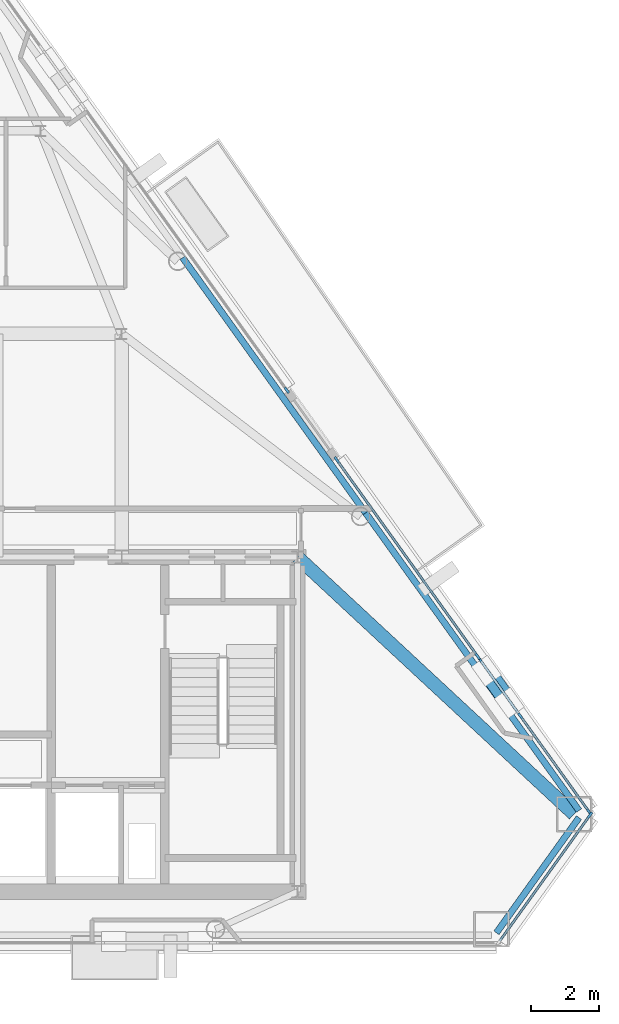
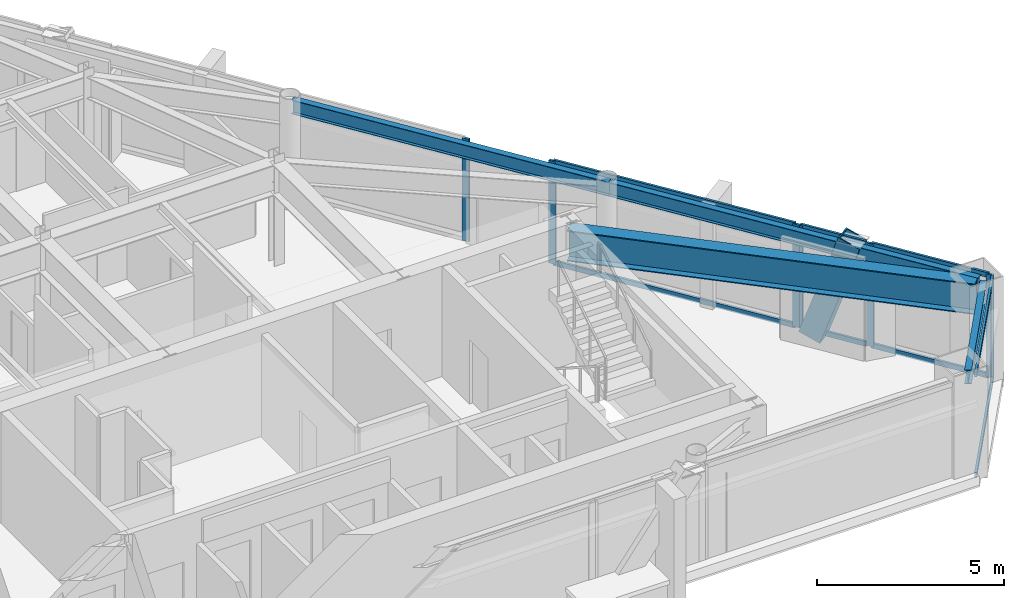
# One storey, part 5 of 11: 16 members, 4 beams, 5 elements without a shape of their own.
"""IFC4 building model written with IfcOpenShell, lengths in metres."""

from ifc_helpers import new_model, si_unit, direction, frame, origin, origin_2d, place, context, subcontext, project, spatial, rectangle, hollow_rectangle, i_section, extrude, material, layer, layer_set, material_profile, profile_set, type_object, element, aggregate, save


model = new_model("IFC4")

# Units and contexts
model_context = context("Model", 3, precision=1e-05, world=origin(), true_north=direction((0.0, 1.0)))
body_context = subcontext(model_context, "Body", "Model", "MODEL_VIEW")
ifc_project = project(units=[si_unit("LENGTHUNIT", "METRE"), si_unit("AREAUNIT", "SQUARE_METRE"), si_unit("VOLUMEUNIT", "CUBIC_METRE"), si_unit("PLANEANGLEUNIT", "RADIAN"), si_unit("MASSUNIT", "GRAM", prefix="KILO")], contexts=[model_context])

# Site, building, storey
site_placement = place(None, origin())
site = spatial("IfcSite", under=ifc_project, at=site_placement, CompositionType="ELEMENT")
building_placement = place(site_placement, origin())
building = spatial("IfcBuilding", under=site, at=building_placement, Name="Talgorran Terracotta Tower", CompositionType="ELEMENT")
storey_placement = place(building_placement, frame((0.0, 0.0, 233.39990234375)))
storey = spatial("IfcBuildingStorey", under=building, at=storey_placement, Name="L61", CompositionType="ELEMENT", Elevation=233.39990234375)

# Beams
ifc_material_1 = material(Name="Steel Grade 350 (350L0)", Category="steel")
ifc_material_profile_1 = material_profile(ifc_material_1, i_section(OverallWidth=0.39990234375, OverallDepth=1.0, WebThickness=0.01611328125, FlangeThickness=0.031005859375, at=origin_2d()), Name="1000WB296")
ifc_profile_set_1 = profile_set([ifc_material_profile_1], Name="Steel Grade 350 (350L0)")
beam_type_1 = type_object("IfcBeamType", Name="BM_1000WB296", PredefinedType="BEAM", material=ifc_profile_set_1)
beam_1_placement = place(storey_placement, frame((12.39990234375, -4.199951171875, 2.84521484375), z_axis=(0.732477257619, -0.68079150044, 0.0), x_axis=(0.68079150044, 0.732477257619, 0.0)))
element("IfcBeam", 1, at=beam_1_placement, inside=storey, type_object=beam_type_1, Name="L61 Floor Girder G18", PredefinedType="BEAM", context=body_context, shape_type="SweptSolid", body=[
    extrude(i_section(OverallWidth=0.39990234375, OverallDepth=1.0, WebThickness=0.01611328125, FlangeThickness=0.031005859375, at=origin_2d()), origin(), (0.0, 0.0, 1.0), 11.16650390625),
])
ifc_material_2 = material(Name="Steel S355 (300PLUS)", Category="steel")
ifc_material_profile_2 = material_profile(ifc_material_2, i_section(OverallWidth=0.18994140625, OverallDepth=0.45703125, WebThickness=0.009033203125, FlangeThickness=0.014404296875, at=origin_2d()), Name="460UB74.6")
ifc_profile_set_2 = profile_set([ifc_material_profile_2], Name="Steel S355 (300PLUS)")
beam_type_2 = type_object("IfcBeamType", Name="BM_SP_460UB74", PredefinedType="SPANDREL", material=ifc_profile_set_2)
beam_2_placement = place(storey_placement, frame((18.283447265625, -15.312744140625, 3.11669921875), z_axis=(0.582692129248, 0.812692981705, 0.0), x_axis=(-0.812692981705, 0.582692129248, 0.0)))
element("IfcBeam", 2, at=beam_2_placement, inside=storey, type_object=beam_type_2, Name="L61 Perimeter Spandrel Beam MC3-MC4", PredefinedType="SPANDREL", context=body_context, shape_type="SweptSolid", body=[
    extrude(i_section(OverallWidth=0.18994140625, OverallDepth=0.45703125, WebThickness=0.009033203125, FlangeThickness=0.014404296875, at=origin_2d()), origin(), (0.0, 0.0, 1.0), 4.190673828125),
])
beam_3_placement = place(storey_placement, frame((20.725341796875, -11.697021484375, 3.11669921875), z_axis=(-0.5826658635, 0.812711813321, 0.0), x_axis=(-0.812711813321, -0.5826658635, 0.0)))
element("IfcBeam", 3, at=beam_3_placement, inside=storey, type_object=beam_type_2, Name="L61 Perimeter Spandrel Beam MC4-FC3", PredefinedType="SPANDREL", context=body_context, shape_type="SweptSolid", body=[
    extrude(i_section(OverallWidth=0.18994140625, OverallDepth=0.45703125, WebThickness=0.009033203125, FlangeThickness=0.014404296875, at=origin_2d()), origin(), (0.0, 0.0, 1.0), 10.831298828125),
])
beam_4_placement = place(storey_placement, frame((14.414306640625, -2.894287109375, 3.11669921875), z_axis=(-0.582665161137, 0.812712316873, 0.0), x_axis=(-0.812712316873, -0.582665161137, 0.0)))
element("IfcBeam", 4, at=beam_4_placement, inside=storey, type_object=beam_type_2, Name="L61 Perimeter Spandrel Beam FC3-FC4", PredefinedType="SPANDREL", context=body_context, shape_type="SweptSolid", body=[
    extrude(i_section(OverallWidth=0.18994140625, OverallDepth=0.45703125, WebThickness=0.009033203125, FlangeThickness=0.014404296875, at=origin_2d()), origin(), (0.0, 0.0, 1.0), 9.283935546875),
])

# Member
ifc_material_profile_3 = material_profile(ifc_material_1, hollow_rectangle(XDim=0.52001953125, YDim=0.659912109375, WallThickness=0.034912109375, at=origin_2d()), Name="WBOX660X520X35")
ifc_profile_set_3 = profile_set([ifc_material_profile_3], Name="Steel Grade 350 (350L0)")
member_type_1 = type_object("IfcMemberType", Name="MB_MEGA_660", PredefinedType="BRACE", material=ifc_profile_set_3)
member_1_placement = place(storey_placement, frame((17.98583984375, -7.567138671875, -0.02490234375), z_axis=(0.18860775187, -0.263043855963, 0.946168613818), x_axis=(0.812681078827, 0.582708730085, 0.0)))
element("IfcMember", 5, at=member_1_placement, inside=storey, type_object=member_type_1, Name="L61 Exterior Face Mega-Brace MB-3 (NEL)", PredefinedType="BRACE", context=body_context, shape_type="SweptSolid", body=[
    extrude(hollow_rectangle(XDim=0.52001953125, YDim=0.659912109375, WallThickness=0.034912109375, at=origin_2d()), origin(), (0.0, 0.0, 1.0), 3.588134765625),
])

# Curtain wall, member
ifc_material_3 = material(Name="High-Wind Unitised Glazing", Category="glass")
ifc_layer = layer(ifc_material_3, 0.2099609375, Name="CW_SYS3_RES_HIGH")
ifc_layer_set = layer_set([ifc_layer], Name="High-Wind Unitised Glazing")
curtain_wall_type = type_object("IfcCurtainWallType", Name="CW_SYS3_RES_HIGH", PredefinedType="NOTDEFINED", material=ifc_layer_set)
curtain_wall_1_placement = place(storey_placement, origin())
curtain_wall_1 = element("IfcCurtainWall", 6, at=curtain_wall_1_placement, inside=storey, type_object=curtain_wall_type, Name="CW-L61-F2", PredefinedType="NOTDEFINED")
ifc_material_4 = material(Name="Architectural Aluminium 6063-T6", Category="aluminium")
ifc_material_profile_4 = material_profile(ifc_material_4, rectangle(XDim=0.070068359375, YDim=0.199951171875, at=origin_2d()), Name="CWM70X200")
ifc_profile_set_4 = profile_set([ifc_material_profile_4], Name="Architectural Aluminium 6063-T6")
member_type_2 = type_object("IfcMemberType", Name="MUL_70X200", PredefinedType="MULLION", material=ifc_profile_set_4)
member_2_placement = place(storey_placement, frame((21.05078125, -11.83056640625, 0.0), z_axis=(0.0, 0.0, 1.0), x_axis=(-0.812714993724, 0.582661427396, 0.0)))
member_2 = element("IfcMember", 7, at=member_2_placement, type_object=member_type_2, Name="CW-L61-2 mullion 2", PredefinedType="MULLION", context=body_context, shape_type="SweptSolid", body=[
    extrude(rectangle(XDim=0.070068359375, YDim=0.199951171875, at=origin_2d()), origin(), (0.0, 0.0, 1.0), 3.34521484375),
])

# Curtain wall, members
curtain_wall_2_placement = place(storey_placement, origin())
curtain_wall_2 = element("IfcCurtainWall", 8, at=curtain_wall_2_placement, inside=storey, type_object=curtain_wall_type, Name="CW-L61-F40", PredefinedType="NOTDEFINED")
member_3_placement = place(storey_placement, frame((21.02734375, -11.740966796875, 0.0), z_axis=(0.0, 0.0, 1.0), x_axis=(-0.812719875609, -0.582654617926, 0.0)))
member_3 = element("IfcMember", 9, at=member_3_placement, type_object=member_type_2, Name="CW-L61-40 mullion 1", PredefinedType="MULLION", context=body_context, shape_type="SweptSolid", body=[
    extrude(rectangle(XDim=0.070068359375, YDim=0.199951171875, at=origin_2d()), origin(), (0.0, 0.0, 1.0), 3.34521484375),
])
member_4_placement = place(storey_placement, frame((18.98779296875, -8.89599609375, 0.0), z_axis=(0.0, 0.0, 1.0), x_axis=(-0.812719875609, -0.582654617926, 0.0)))
member_4 = element("IfcMember", 10, at=member_4_placement, type_object=member_type_2, Name="CW-L61-40 mullion 2", PredefinedType="MULLION", context=body_context, shape_type="SweptSolid", body=[
    extrude(rectangle(XDim=0.070068359375, YDim=0.199951171875, at=origin_2d()), origin(), (0.0, 0.0, 1.0), 3.34521484375),
])

# Curtain wall, member
curtain_wall_3_placement = place(storey_placement, origin())
curtain_wall_3 = element("IfcCurtainWall", 11, at=curtain_wall_3_placement, inside=storey, type_object=curtain_wall_type, Name="CW-L61-F40B", PredefinedType="NOTDEFINED")
member_5_placement = place(storey_placement, frame((17.772216796875, -7.20068359375, 0.0), z_axis=(0.0, 0.0, 1.0), x_axis=(-0.81272322029, -0.582649952546, 0.0)))
member_5 = element("IfcMember", 12, at=member_5_placement, type_object=member_type_2, Name="CW-L61-40B mullion 2", PredefinedType="MULLION", context=body_context, shape_type="SweptSolid", body=[
    extrude(rectangle(XDim=0.070068359375, YDim=0.199951171875, at=origin_2d()), origin(), (0.0, 0.0, 1.0), 3.34521484375),
])

# Curtain wall, members
curtain_wall_4_placement = place(storey_placement, origin())
curtain_wall_4 = element("IfcCurtainWall", 13, at=curtain_wall_4_placement, inside=storey, type_object=curtain_wall_type, Name="CW-L61-F40C", PredefinedType="NOTDEFINED")
member_6_placement = place(storey_placement, frame((17.7255859375, -7.1357421875, 0.0), z_axis=(0.0, 0.0, 1.0), x_axis=(-0.812712435258, -0.582664996011, 0.0)))
member_6 = element("IfcMember", 14, at=member_6_placement, type_object=member_type_2, Name="CW-L61-40C mullion 1", PredefinedType="MULLION", context=body_context, shape_type="SweptSolid", body=[
    extrude(rectangle(XDim=0.070068359375, YDim=0.199951171875, at=origin_2d()), origin(), (0.0, 0.0, 1.0), 3.34521484375),
])
member_7_placement = place(storey_placement, frame((13.55859375, -1.3232421875, 0.0), z_axis=(0.0, 0.0, 1.0), x_axis=(-0.812712435258, -0.582664996011, 0.0)))
member_7 = element("IfcMember", 15, at=member_7_placement, type_object=member_type_2, Name="CW-L61-40C mullion 2", PredefinedType="MULLION", context=body_context, shape_type="SweptSolid", body=[
    extrude(rectangle(XDim=0.070068359375, YDim=0.199951171875, at=origin_2d()), origin(), (0.0, 0.0, 1.0), 3.34521484375),
])

# Curtain wall, member
curtain_wall_5_placement = place(storey_placement, origin())
curtain_wall_5 = element("IfcCurtainWall", 16, at=curtain_wall_5_placement, inside=storey, type_object=curtain_wall_type, Name="CW-L61-F41", PredefinedType="NOTDEFINED")
member_8_placement = place(storey_placement, frame((12.08447265625, 0.73291015625, 0.0), z_axis=(0.0, 0.0, 1.0), x_axis=(-0.812712676558, -0.582664659441, 0.0)))
member_8 = element("IfcMember", 17, at=member_8_placement, type_object=member_type_2, Name="CW-L61-41 mullion 1", PredefinedType="MULLION", context=body_context, shape_type="SweptSolid", body=[
    extrude(rectangle(XDim=0.070068359375, YDim=0.199951171875, at=origin_2d()), origin(), (0.0, 0.0, 1.0), 3.34521484375),
])
aggregate(curtain_wall_5, [member_8])

# Member
ifc_material_profile_5 = material_profile(ifc_material_4, rectangle(XDim=0.070068359375, YDim=0.159912109375, at=origin_2d()), Name="CWT70X160")
ifc_profile_set_5 = profile_set([ifc_material_profile_5], Name="Architectural Aluminium 6063-T6")
member_type_3 = type_object("IfcMemberType", Name="TRN_70X160", PredefinedType="USERDEFINED", material=ifc_profile_set_5)
member_9_placement = place(storey_placement, frame((18.38330078125, -15.551025390625, 0.03515625), z_axis=(0.582655627037, 0.812719152157, 0.0), x_axis=(-0.812719152157, 0.582655627037, 0.0)))
member_9 = element("IfcMember", 18, at=member_9_placement, type_object=member_type_3, Name="CW-L61-2 transom 1.1", ObjectType="TRANSOM", PredefinedType="USERDEFINED", context=body_context, shape_type="SweptSolid", body=[
    extrude(rectangle(XDim=0.070068359375, YDim=0.159912109375, at=origin_2d()), origin(), (0.0, 0.0, 1.0), 4.54296875),
])

member_10_placement = place(storey_placement, frame((18.38330078125, -15.551025390625, 3.31005859375), z_axis=(0.582655627037, 0.812719152157, 0.0), x_axis=(-0.812719152157, 0.582655627037, 0.0)))
member_10 = element("IfcMember", 19, at=member_10_placement, type_object=member_type_3, Name="CW-L61-2 transom 1.2", ObjectType="TRANSOM", PredefinedType="USERDEFINED", context=body_context, shape_type="SweptSolid", body=[
    extrude(rectangle(XDim=0.070068359375, YDim=0.159912109375, at=origin_2d()), origin(), (0.0, 0.0, 1.0), 4.54296875),
])

aggregate(curtain_wall_1, [member_2, member_9, member_10])

member_11_placement = place(storey_placement, frame((21.007080078125, -11.712646484375, 0.03515625), z_axis=(-0.58265762236, 0.812717721663, 0.0), x_axis=(-0.812717721663, -0.58265762236, 0.0)))
member_11 = element("IfcMember", 20, at=member_11_placement, type_object=member_type_3, Name="CW-L61-40 transom 1.1", ObjectType="TRANSOM", PredefinedType="USERDEFINED", context=body_context, shape_type="SweptSolid", body=[
    extrude(rectangle(XDim=0.070068359375, YDim=0.159912109375, at=origin_2d()), origin(), (0.0, 0.0, 1.0), 3.430908203125),
])

member_12_placement = place(storey_placement, frame((21.007080078125, -11.712646484375, 3.31005859375), z_axis=(-0.58265762236, 0.812717721663, 0.0), x_axis=(-0.812717721663, -0.58265762236, 0.0)))
member_12 = element("IfcMember", 21, at=member_12_placement, type_object=member_type_3, Name="CW-L61-40 transom 1.2", ObjectType="TRANSOM", PredefinedType="USERDEFINED", context=body_context, shape_type="SweptSolid", body=[
    extrude(rectangle(XDim=0.070068359375, YDim=0.159912109375, at=origin_2d()), origin(), (0.0, 0.0, 1.0), 3.430908203125),
])

aggregate(curtain_wall_2, [member_3, member_4, member_11, member_12])

member_13_placement = place(storey_placement, frame((18.920654296875, -8.802490234375, 0.03515625), z_axis=(-0.582668913142, 0.812709626901, 0.0), x_axis=(-0.812709626901, -0.582668913142, 0.0)))
member_13 = element("IfcMember", 22, at=member_13_placement, type_object=member_type_3, Name="CW-L61-40B transom 1.1", ObjectType="TRANSOM", PredefinedType="USERDEFINED", context=body_context, shape_type="SweptSolid", body=[
    extrude(rectangle(XDim=0.070068359375, YDim=0.159912109375, at=origin_2d()), origin(), (0.0, 0.0, 1.0), 1.935791015625),
])

member_14_placement = place(storey_placement, frame((18.920654296875, -8.802490234375, 3.31005859375), z_axis=(-0.582668913142, 0.812709626901, 0.0), x_axis=(-0.812709626901, -0.582668913142, 0.0)))
member_14 = element("IfcMember", 23, at=member_14_placement, type_object=member_type_3, Name="CW-L61-40B transom 1.2", ObjectType="TRANSOM", PredefinedType="USERDEFINED", context=body_context, shape_type="SweptSolid", body=[
    extrude(rectangle(XDim=0.070068359375, YDim=0.159912109375, at=origin_2d()), origin(), (0.0, 0.0, 1.0), 1.935791015625),
])

aggregate(curtain_wall_3, [member_5, member_13, member_14])

member_15_placement = place(storey_placement, frame((17.705322265625, -7.107421875, 0.03515625), z_axis=(-0.58266887074, 0.812709657301, 0.0), x_axis=(-0.812709657301, -0.58266887074, 0.0)))
member_15 = element("IfcMember", 24, at=member_15_placement, type_object=member_type_3, Name="CW-L61-40C transom 1.1", ObjectType="TRANSOM", PredefinedType="USERDEFINED", context=body_context, shape_type="SweptSolid", body=[
    extrude(rectangle(XDim=0.070068359375, YDim=0.159912109375, at=origin_2d()), origin(), (0.0, 0.0, 1.0), 7.08203125),
])

member_16_placement = place(storey_placement, frame((17.705322265625, -7.107421875, 3.31005859375), z_axis=(-0.58266887074, 0.812709657301, 0.0), x_axis=(-0.812709657301, -0.58266887074, 0.0)))
member_16 = element("IfcMember", 25, at=member_16_placement, type_object=member_type_3, Name="CW-L61-40C transom 1.2", ObjectType="TRANSOM", PredefinedType="USERDEFINED", context=body_context, shape_type="SweptSolid", body=[
    extrude(rectangle(XDim=0.070068359375, YDim=0.159912109375, at=origin_2d()), origin(), (0.0, 0.0, 1.0), 7.08203125),
])

aggregate(curtain_wall_4, [member_6, member_7, member_15, member_16])

save(model, "model.ifc")
